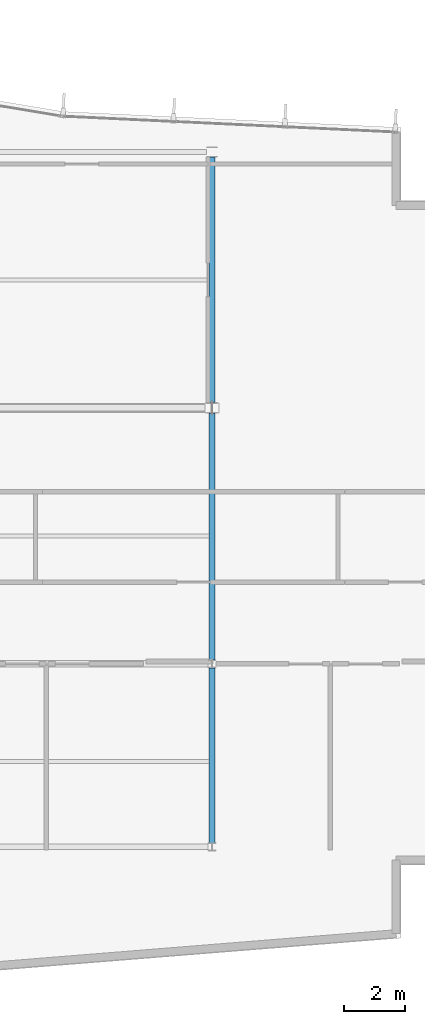
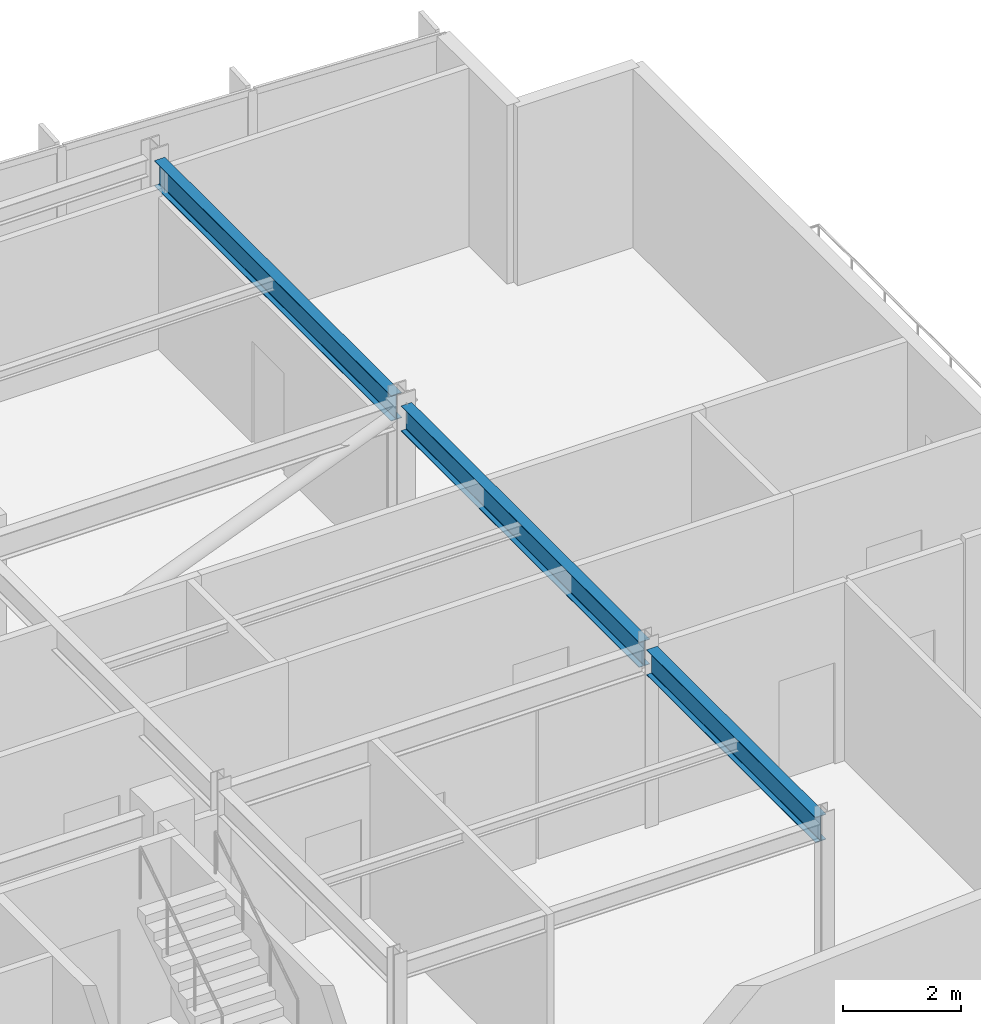
# One storey, part 7 of 17: 3 beams.
"""IFC4 building model written with IfcOpenShell, lengths in metres."""

from ifc_helpers import new_model, si_unit, direction, frame, origin, origin_2d, place, context, subcontext, project, spatial, i_section, extrude, material, material_profile, profile_set, type_object, element, save


model = new_model("IFC4")

# Units and contexts
model_context = context("Model", 3, precision=1e-05, world=origin(), true_north=direction((0.0, 1.0)))
body_context = subcontext(model_context, "Body", "Model", "MODEL_VIEW")
ifc_project = project(units=[si_unit("LENGTHUNIT", "METRE"), si_unit("AREAUNIT", "SQUARE_METRE"), si_unit("VOLUMEUNIT", "CUBIC_METRE"), si_unit("PLANEANGLEUNIT", "RADIAN"), si_unit("MASSUNIT", "GRAM", prefix="KILO")], contexts=[model_context])

# Site, building, storey
site_placement = place(None, origin())
site = spatial("IfcSite", under=ifc_project, at=site_placement, CompositionType="ELEMENT")
building_placement = place(site_placement, origin())
building = spatial("IfcBuilding", under=site, at=building_placement, Name="Varnakote Quay Hospital", CompositionType="ELEMENT")
storey_placement = place(building_placement, frame((0.0, 0.0, 256.550048828125)))
storey = spatial("IfcBuildingStorey", under=building, at=storey_placement, Name="L63", CompositionType="ELEMENT", Elevation=256.550048828125)

# Beams
ifc_material = material(Name="Structural steel AS/NZS 3679.1 Grade 350 L0 (fy 340 MPa)", Category="steel")
ifc_material_profile = material_profile(ifc_material, i_section(OverallWidth=0.208984375, OverallDepth=0.528076171875, WebThickness=0.009521484375, FlangeThickness=0.01318359375, FilletRadius=0.013916015625, at=origin_2d()), Name="530UB82.0")
ifc_profile_set = profile_set([ifc_material_profile], Name="Structural steel AS/NZS 3679.1 Grade 350 L0 (fy 340 MPa)")
beam_type = type_object("IfcBeamType", Name="BM-STL-530UB82-0", PredefinedType="BEAM", material=ifc_profile_set)
beam_1_placement = place(storey_placement, frame((33.60009765625, 6.126953125, 3.446044921875), z_axis=(0.0, 1.0, 0.0), x_axis=(-1.0, 0.0, 0.0)))
element("IfcBeam", 1, at=beam_1_placement, inside=storey, type_object=beam_type, Name="L63 Primary Tie Beam", PredefinedType="BEAM", context=body_context, shape_type="SweptSolid", body=[
    extrude(i_section(OverallWidth=0.208984375, OverallDepth=0.528076171875, WebThickness=0.009521484375, FlangeThickness=0.01318359375, FilletRadius=0.013916015625, at=origin_2d()), origin(), (0.0, 0.0, 1.0), 5.74609375),
])
beam_2_placement = place(storey_placement, frame((33.60009765625, 12.126953125, 3.446044921875), z_axis=(0.0, 1.0, 0.0), x_axis=(-1.0, 0.0, 0.0)))
element("IfcBeam", 2, at=beam_2_placement, inside=storey, type_object=beam_type, Name="L63 Primary Tie Beam", PredefinedType="BEAM", context=body_context, shape_type="SweptSolid", body=[
    extrude(i_section(OverallWidth=0.208984375, OverallDepth=0.528076171875, WebThickness=0.009521484375, FlangeThickness=0.01318359375, FilletRadius=0.013916015625, at=origin_2d()), origin(), (0.0, 0.0, 1.0), 8.10302734375),
])
beam_3_placement = place(storey_placement, frame((33.60009765625, 20.570068359375, 3.446044921875), z_axis=(0.0, 1.0, 0.0), x_axis=(-1.0, 0.0, 0.0)))
element("IfcBeam", 3, at=beam_3_placement, inside=storey, type_object=beam_type, Name="L63 Primary Tie Beam", PredefinedType="BEAM", context=body_context, shape_type="SweptSolid", body=[
    extrude(i_section(OverallWidth=0.208984375, OverallDepth=0.528076171875, WebThickness=0.009521484375, FlangeThickness=0.01318359375, FilletRadius=0.013916015625, at=origin_2d()), origin(), (0.0, 0.0, 1.0), 8.059814453125),
])

save(model, "model.ifc")
